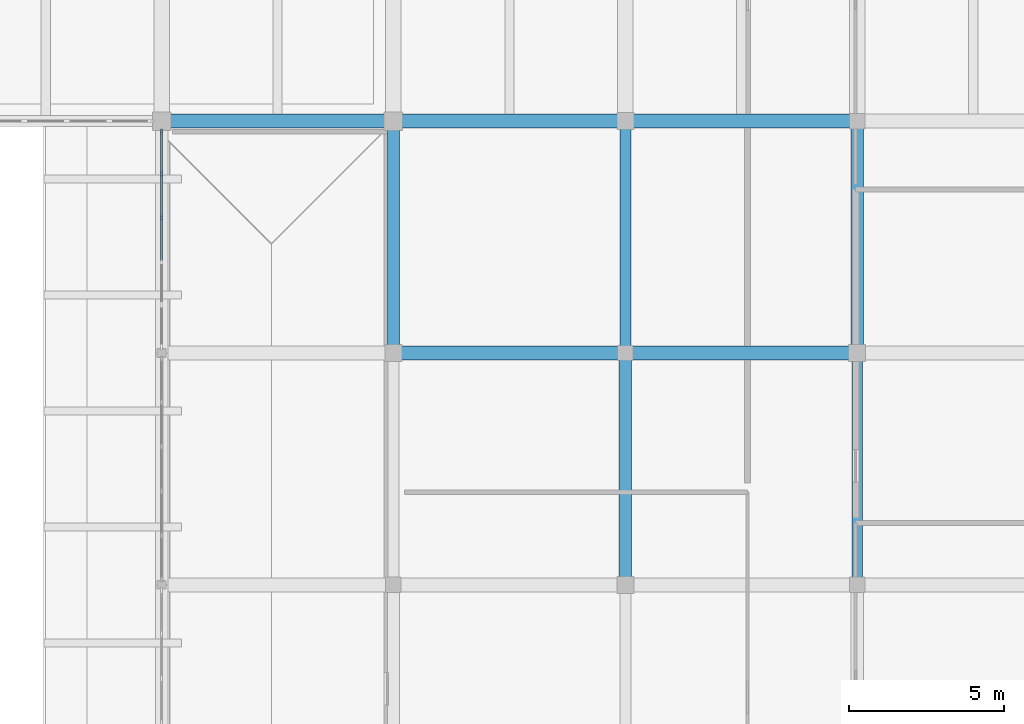
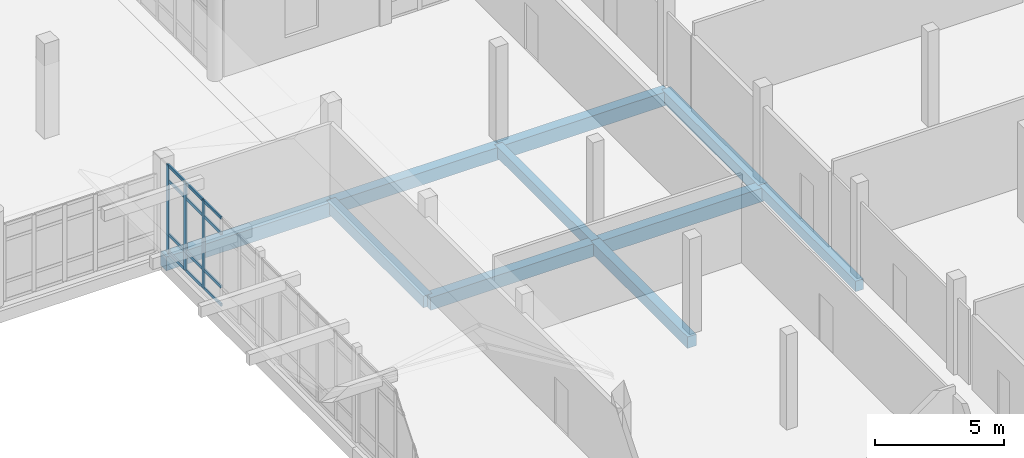
# One storey, part 66 of 128: 15 members, 10 beams, 1 element without a shape of its own.
"""IFC4 building model written with IfcOpenShell, lengths in metres."""

from ifc_helpers import new_model, si_unit, direction, frame, origin, origin_2d, place, context, subcontext, project, spatial, rectangle, extrude, material, layer, layer_set, material_profile, profile_set, type_object, element, aggregate, save


model = new_model("IFC4")

# Units and contexts
model_context = context("Model", 3, precision=1e-05, world=origin(), true_north=direction((0.0, 1.0)))
body_context = subcontext(model_context, "Body", "Model", "MODEL_VIEW")
ifc_project = project(units=[si_unit("LENGTHUNIT", "METRE"), si_unit("AREAUNIT", "SQUARE_METRE"), si_unit("VOLUMEUNIT", "CUBIC_METRE"), si_unit("PLANEANGLEUNIT", "RADIAN"), si_unit("MASSUNIT", "GRAM", prefix="KILO")], contexts=[model_context])

# Site, building, storey
site_placement = place(None, origin())
site = spatial("IfcSite", under=ifc_project, at=site_placement, CompositionType="ELEMENT")
building_placement = place(site_placement, origin())
building = spatial("IfcBuilding", under=site, at=building_placement, Name="Dalvernix Boulevard General Hospital", CompositionType="ELEMENT")
storey_placement = place(building_placement, frame((0.0, 0.0, 4.800048828125)))
storey = spatial("IfcBuildingStorey", under=building, at=storey_placement, Name="L01", CompositionType="ELEMENT", Elevation=4.800048828125)

# Beams
ifc_material_1 = material(Name="Concrete C35/45", Category="concrete")
ifc_material_profile_1 = material_profile(ifc_material_1, rectangle(XDim=0.449951171875, YDim=0.64990234375, at=origin_2d()), Name="RCB 450x650")
ifc_profile_set_1 = profile_set([ifc_material_profile_1], Name="Concrete C35/45")
beam_type_1 = type_object("IfcBeamType", Name="BM-B-03-I", PredefinedType="BEAM", material=ifc_profile_set_1)
for number, where, z_axis, x_axis, name in (
    (1, (150.0, 69.0, -0.625), (1.0, 0.0, 0.0), (0.0, 1.0, 0.0), "L01 E-W girder K:21-22"),
    (2, (135.0, 76.5, -0.625), (1.0, 0.0, 0.0), (0.0, 1.0, 0.0), "L01 E-W girder L:19-20"),
    (3, (150.0, 76.5, -0.625), (1.0, 0.0, 0.0), (0.0, 1.0, 0.0), "L01 E-W girder L:21-22"),
):
    element("IfcBeam", number, at=place(storey_placement, frame(where, z_axis=z_axis, x_axis=x_axis)), inside=storey, type_object=beam_type_1, Name=name, PredefinedType="BEAM", context=body_context, shape_type="SweptSolid", body=[
        extrude(rectangle(XDim=0.449951171875, YDim=0.64990234375, at=origin_2d()), origin(), (0.0, 0.0, 1.0), 7.5),
    ])
ifc_material_profile_2 = material_profile(ifc_material_1, rectangle(XDim=0.449951171875, YDim=0.60009765625, at=origin_2d()), Name="RCB 450x600")
ifc_profile_set_2 = profile_set([ifc_material_profile_2], Name="Concrete C35/45")
beam_type_2 = type_object("IfcBeamType", Name="BM-B-04-I", PredefinedType="BEAM", material=ifc_profile_set_2)
for number, where, z_axis, x_axis, name in (
    (4, (142.5, 69.0, -0.60009765625), (1.0, 0.0, 0.0), (0.0, 1.0, 0.0), "L01 E-W girder K:20-21"),
    (5, (142.5, 76.5, -0.60009765625), (1.0, 0.0, 0.0), (0.0, 1.0, 0.0), "L01 E-W girder L:20-21"),
):
    element("IfcBeam", number, at=place(storey_placement, frame(where, z_axis=z_axis, x_axis=x_axis)), inside=storey, type_object=beam_type_2, Name=name, PredefinedType="BEAM", context=body_context, shape_type="SweptSolid", body=[
        extrude(rectangle(XDim=0.449951171875, YDim=0.60009765625, at=origin_2d()), origin(), (0.0, 0.0, 1.0), 7.5),
    ])
ifc_material_profile_3 = material_profile(ifc_material_1, rectangle(XDim=0.39990234375, YDim=0.550048828125, at=origin_2d()), Name="RCB 400x550")
ifc_profile_set_3 = profile_set([ifc_material_profile_3], Name="Concrete C35/45")
beam_type_3 = type_object("IfcBeamType", Name="BM-B-06-I", PredefinedType="BEAM", material=ifc_profile_set_3)
for number, where, z_axis, x_axis, name in (
    (6, (142.5, 69.0, -0.574951171875), (0.0, 1.0, 0.0), (-1.0, 0.0, 0.0), "L01 N-S girder 20:K-L"),
    (7, (150.0, 61.5, -0.574951171875), (0.0, 1.0, 0.0), (-1.0, 0.0, 0.0), "L01 N-S girder 21:J-K"),
    (8, (157.5, 69.0, -0.574951171875), (0.0, 1.0, 0.0), (-1.0, 0.0, 0.0), "L01 N-S girder 22:K-L"),
):
    element("IfcBeam", number, at=place(storey_placement, frame(where, z_axis=z_axis, x_axis=x_axis)), inside=storey, type_object=beam_type_3, Name=name, PredefinedType="BEAM", context=body_context, shape_type="SweptSolid", body=[
        extrude(rectangle(XDim=0.39990234375, YDim=0.550048828125, at=origin_2d()), origin(), (0.0, 0.0, 1.0), 7.5),
    ])
ifc_material_profile_4 = material_profile(ifc_material_1, rectangle(XDim=0.35009765625, YDim=0.5, at=origin_2d()), Name="RCB 350x500")
ifc_profile_set_4 = profile_set([ifc_material_profile_4], Name="Concrete C35/45")
beam_type_4 = type_object("IfcBeamType", Name="BM-B-08-I", PredefinedType="BEAM", material=ifc_profile_set_4)
for number, where, z_axis, x_axis, name in (
    (9, (150.0, 69.0, -0.550048828125), (0.0, 1.0, 0.0), (-1.0, 0.0, 0.0), "L01 N-S girder 21:K-L"),
    (10, (157.5, 61.5, -0.550048828125), (0.0, 1.0, 0.0), (-1.0, 0.0, 0.0), "L01 N-S girder 22:J-K"),
):
    element("IfcBeam", number, at=place(storey_placement, frame(where, z_axis=z_axis, x_axis=x_axis)), inside=storey, type_object=beam_type_4, Name=name, PredefinedType="BEAM", context=body_context, shape_type="SweptSolid", body=[
        extrude(rectangle(XDim=0.35009765625, YDim=0.5, at=origin_2d()), origin(), (0.0, 0.0, 1.0), 7.5),
    ])

# Curtain wall, members
ifc_material_2 = material(Name="Thermally broken aluminium and solar-control glass curtain wall", Category="aluminium")
ifc_layer = layer(ifc_material_2, 0.179931640625)
ifc_layer_set = layer_set([ifc_layer], Name="Thermally broken aluminium and solar-control glass curtain wall (CW-CW-B-70x42)")
curtain_wall_type = type_object("IfcCurtainWallType", Name="CW-CW-B-70x42", PredefinedType="USERDEFINED", material=ifc_layer_set)
curtain_wall_placement = place(storey_placement, origin())
curtain_wall = element("IfcCurtainWall", 11, at=curtain_wall_placement, inside=storey, type_object=curtain_wall_type, Name="L01 curtain wall CW-B-70x42 18-9", ObjectType="GLAZED FACADE", PredefinedType="USERDEFINED")
ifc_material_3 = material(Name="Aluminium EN AW-6060", Category="aluminium")
ifc_material_profile_5 = material_profile(ifc_material_3, rectangle(XDim=0.06494140625, YDim=0.179931640625, at=origin_2d()), Name="ALU MULL 65x180")
ifc_profile_set_5 = profile_set([ifc_material_profile_5], Name="Aluminium EN AW-6060")
member_type_1 = type_object("IfcMemberType", Name="MEM-CW-M2", PredefinedType="MULLION", material=ifc_profile_set_5)
member_1_placement = place(storey_placement, frame((135.0, 73.3740234375, 0.0), z_axis=(0.0, 0.0, 1.0), x_axis=(-1.0, 0.0, 0.0)))
member_1 = element("IfcMember", 12, at=member_1_placement, type_object=member_type_1, Name="CW-B-70x42 mullion 4", PredefinedType="MULLION", context=body_context, shape_type="SweptSolid", body=[
    extrude(rectangle(XDim=0.06494140625, YDim=0.179931640625, at=origin_2d()), origin(), (0.0, 0.0, 1.0), 4.179931640625),
])
member_2_placement = place(storey_placement, frame((135.0, 74.781982421875, 0.0), z_axis=(0.0, 0.0, 1.0), x_axis=(-1.0, 0.0, 0.0)))
member_2 = element("IfcMember", 13, at=member_2_placement, type_object=member_type_1, Name="CW-B-70x42 mullion 5", PredefinedType="MULLION", context=body_context, shape_type="SweptSolid", body=[
    extrude(rectangle(XDim=0.06494140625, YDim=0.179931640625, at=origin_2d()), origin(), (0.0, 0.0, 1.0), 4.179931640625),
])
member_3_placement = place(storey_placement, frame((135.0, 76.157470703125, 0.0), z_axis=(0.0, 0.0, 1.0), x_axis=(-1.0, 0.0, 0.0)))
member_3 = element("IfcMember", 14, at=member_3_placement, type_object=member_type_1, Name="CW-B-70x42 mullion 6", PredefinedType="MULLION", context=body_context, shape_type="SweptSolid", body=[
    extrude(rectangle(XDim=0.06494140625, YDim=0.179931640625, at=origin_2d()), origin(), (0.0, 0.0, 1.0), 4.179931640625),
])
ifc_material_profile_6 = material_profile(ifc_material_3, rectangle(XDim=0.06494140625, YDim=0.139892578125, at=origin_2d()), Name="ALU TRAN 65x140")
ifc_profile_set_6 = profile_set([ifc_material_profile_6], Name="Aluminium EN AW-6060")
member_type_2 = type_object("IfcMemberType", Name="MEM-CW-T2", PredefinedType="USERDEFINED", material=ifc_profile_set_6)
member_4_placement = place(storey_placement, frame((135.0, 71.99853515625, 0.032470703125), z_axis=(0.0, 1.0, 0.0), x_axis=(-1.0, 0.0, 0.0)))
member_4 = element("IfcMember", 15, at=member_4_placement, type_object=member_type_2, Name="CW-B-70x42 transom 3.1", ObjectType="TRANSOM", PredefinedType="USERDEFINED", context=body_context, shape_type="SweptSolid", body=[
    extrude(rectangle(XDim=0.06494140625, YDim=0.139892578125, at=origin_2d()), origin(), (0.0, 0.0, 1.0), 1.343017578125),
])
member_5_placement = place(storey_placement, frame((135.0, 71.99853515625, 0.89990234375), z_axis=(0.0, 1.0, 0.0), x_axis=(-1.0, 0.0, 0.0)))
member_5 = element("IfcMember", 16, at=member_5_placement, type_object=member_type_2, Name="CW-B-70x42 transom 3.2", ObjectType="TRANSOM", PredefinedType="USERDEFINED", context=body_context, shape_type="SweptSolid", body=[
    extrude(rectangle(XDim=0.06494140625, YDim=0.139892578125, at=origin_2d()), origin(), (0.0, 0.0, 1.0), 1.343017578125),
])
member_6_placement = place(storey_placement, frame((135.0, 71.99853515625, 3.429931640625), z_axis=(0.0, 1.0, 0.0), x_axis=(-1.0, 0.0, 0.0)))
member_6 = element("IfcMember", 17, at=member_6_placement, type_object=member_type_2, Name="CW-B-70x42 transom 3.3", ObjectType="TRANSOM", PredefinedType="USERDEFINED", context=body_context, shape_type="SweptSolid", body=[
    extrude(rectangle(XDim=0.06494140625, YDim=0.139892578125, at=origin_2d()), origin(), (0.0, 0.0, 1.0), 1.343017578125),
])
member_7_placement = place(storey_placement, frame((135.0, 71.99853515625, 4.1474609375), z_axis=(0.0, 1.0, 0.0), x_axis=(-1.0, 0.0, 0.0)))
member_7 = element("IfcMember", 18, at=member_7_placement, type_object=member_type_2, Name="CW-B-70x42 transom 3.4", ObjectType="TRANSOM", PredefinedType="USERDEFINED", context=body_context, shape_type="SweptSolid", body=[
    extrude(rectangle(XDim=0.06494140625, YDim=0.139892578125, at=origin_2d()), origin(), (0.0, 0.0, 1.0), 1.343017578125),
])
member_8_placement = place(storey_placement, frame((135.0, 73.406494140625, 0.032470703125), z_axis=(0.0, 1.0, 0.0), x_axis=(-1.0, 0.0, 0.0)))
member_8 = element("IfcMember", 19, at=member_8_placement, type_object=member_type_2, Name="CW-B-70x42 transom 4.1", ObjectType="TRANSOM", PredefinedType="USERDEFINED", context=body_context, shape_type="SweptSolid", body=[
    extrude(rectangle(XDim=0.06494140625, YDim=0.139892578125, at=origin_2d()), origin(), (0.0, 0.0, 1.0), 1.343017578125),
])
member_9_placement = place(storey_placement, frame((135.0, 73.406494140625, 0.89990234375), z_axis=(0.0, 1.0, 0.0), x_axis=(-1.0, 0.0, 0.0)))
member_9 = element("IfcMember", 20, at=member_9_placement, type_object=member_type_2, Name="CW-B-70x42 transom 4.2", ObjectType="TRANSOM", PredefinedType="USERDEFINED", context=body_context, shape_type="SweptSolid", body=[
    extrude(rectangle(XDim=0.06494140625, YDim=0.139892578125, at=origin_2d()), origin(), (0.0, 0.0, 1.0), 1.343017578125),
])
member_10_placement = place(storey_placement, frame((135.0, 73.406494140625, 3.429931640625), z_axis=(0.0, 1.0, 0.0), x_axis=(-1.0, 0.0, 0.0)))
member_10 = element("IfcMember", 21, at=member_10_placement, type_object=member_type_2, Name="CW-B-70x42 transom 4.3", ObjectType="TRANSOM", PredefinedType="USERDEFINED", context=body_context, shape_type="SweptSolid", body=[
    extrude(rectangle(XDim=0.06494140625, YDim=0.139892578125, at=origin_2d()), origin(), (0.0, 0.0, 1.0), 1.343017578125),
])
member_11_placement = place(storey_placement, frame((135.0, 73.406494140625, 4.1474609375), z_axis=(0.0, 1.0, 0.0), x_axis=(-1.0, 0.0, 0.0)))
member_11 = element("IfcMember", 22, at=member_11_placement, type_object=member_type_2, Name="CW-B-70x42 transom 4.4", ObjectType="TRANSOM", PredefinedType="USERDEFINED", context=body_context, shape_type="SweptSolid", body=[
    extrude(rectangle(XDim=0.06494140625, YDim=0.139892578125, at=origin_2d()), origin(), (0.0, 0.0, 1.0), 1.343017578125),
])
member_12_placement = place(storey_placement, frame((135.0, 74.814453125, 0.032470703125), z_axis=(0.0, 1.0, 0.0), x_axis=(-1.0, 0.0, 0.0)))
member_12 = element("IfcMember", 23, at=member_12_placement, type_object=member_type_2, Name="CW-B-70x42 transom 5.1", ObjectType="TRANSOM", PredefinedType="USERDEFINED", context=body_context, shape_type="SweptSolid", body=[
    extrude(rectangle(XDim=0.06494140625, YDim=0.139892578125, at=origin_2d()), origin(), (0.0, 0.0, 1.0), 1.310546875),
])
member_13_placement = place(storey_placement, frame((135.0, 74.814453125, 0.89990234375), z_axis=(0.0, 1.0, 0.0), x_axis=(-1.0, 0.0, 0.0)))
member_13 = element("IfcMember", 24, at=member_13_placement, type_object=member_type_2, Name="CW-B-70x42 transom 5.2", ObjectType="TRANSOM", PredefinedType="USERDEFINED", context=body_context, shape_type="SweptSolid", body=[
    extrude(rectangle(XDim=0.06494140625, YDim=0.139892578125, at=origin_2d()), origin(), (0.0, 0.0, 1.0), 1.310546875),
])
member_14_placement = place(storey_placement, frame((135.0, 74.814453125, 3.429931640625), z_axis=(0.0, 1.0, 0.0), x_axis=(-1.0, 0.0, 0.0)))
member_14 = element("IfcMember", 25, at=member_14_placement, type_object=member_type_2, Name="CW-B-70x42 transom 5.3", ObjectType="TRANSOM", PredefinedType="USERDEFINED", context=body_context, shape_type="SweptSolid", body=[
    extrude(rectangle(XDim=0.06494140625, YDim=0.139892578125, at=origin_2d()), origin(), (0.0, 0.0, 1.0), 1.310546875),
])
member_15_placement = place(storey_placement, frame((135.0, 74.814453125, 4.1474609375), z_axis=(0.0, 1.0, 0.0), x_axis=(-1.0, 0.0, 0.0)))
member_15 = element("IfcMember", 26, at=member_15_placement, type_object=member_type_2, Name="CW-B-70x42 transom 5.4", ObjectType="TRANSOM", PredefinedType="USERDEFINED", context=body_context, shape_type="SweptSolid", body=[
    extrude(rectangle(XDim=0.06494140625, YDim=0.139892578125, at=origin_2d()), origin(), (0.0, 0.0, 1.0), 1.310546875),
])
aggregate(curtain_wall, [member_1, member_2, member_3, member_4, member_5, member_6, member_7, member_8, member_9, member_10, member_11, member_12, member_13, member_14, member_15])

save(model, "model.ifc")
